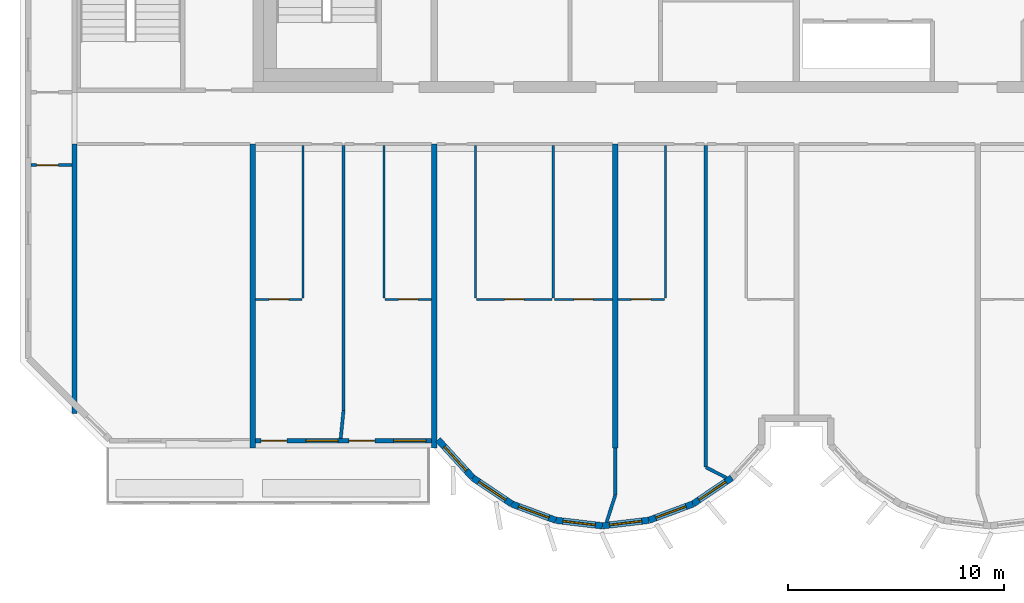
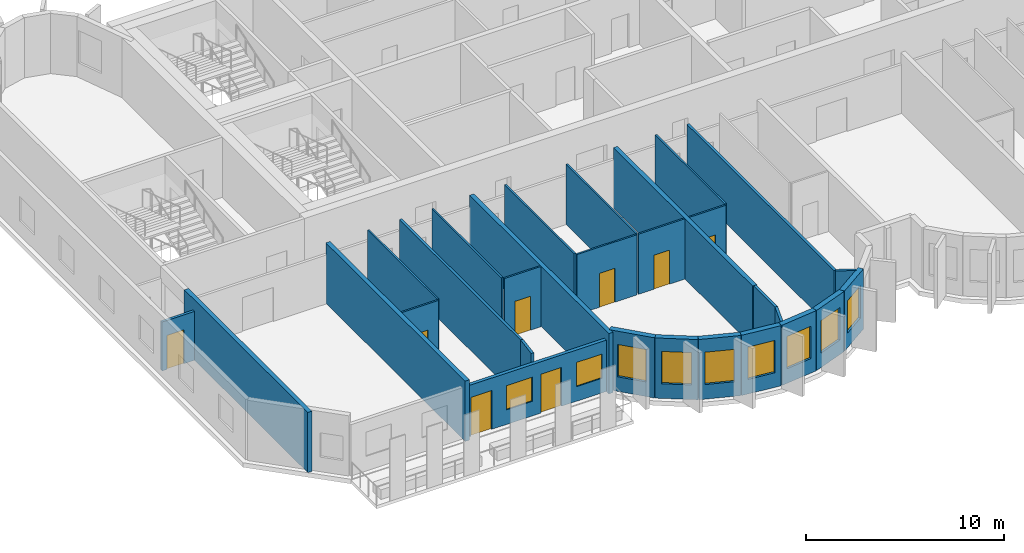
# One storey, part 2 of 12: 29 walls, 9 windows, 8 doors, 17 openings.
"""IFC4 building model written with IfcOpenShell, lengths in metres."""

from ifc_helpers import new_model, si_unit, direction, frame, frame_2d, origin, place, context, subcontext, project, spatial, rectangle, extrude, source, transform, mapped, material, layer, layer_set, type_object, element, fill, save


model = new_model("IFC4")

# Units and contexts
model_context = context("Model", 3, precision=1e-05, world=origin(), true_north=direction((0.0, 1.0)))
body_context = subcontext(model_context, "Body", "Model", "MODEL_VIEW")
ifc_project = project(units=[si_unit("LENGTHUNIT", "METRE"), si_unit("AREAUNIT", "SQUARE_METRE"), si_unit("VOLUMEUNIT", "CUBIC_METRE"), si_unit("PLANEANGLEUNIT", "RADIAN"), si_unit("MASSUNIT", "GRAM", prefix="KILO")], contexts=[model_context])

# Site, building, storey
site_placement = place(None, origin())
site = spatial("IfcSite", under=ifc_project, at=site_placement, CompositionType="ELEMENT")
building_placement = place(site_placement, origin())
building = spatial("IfcBuilding", under=site, at=building_placement, Name="Vanashikhar Sky Hotel", CompositionType="ELEMENT")
storey_placement = place(building_placement, frame((0.0, 0.0, 301.699951171875)))
storey = spatial("IfcBuildingStorey", under=building, at=storey_placement, Name="L72", CompositionType="ELEMENT", Elevation=301.699951171875)

# Walls
ifc_material_1 = material(Name="Concrete M50", Category="concrete")
ifc_layer_1 = layer(ifc_material_1, 0.25)
ifc_layer_set_1 = layer_set([ifc_layer_1], Name="RC shear wall 250 Concrete M50")
wall_type_1 = type_object("IfcWallType", Name="RC shear wall 250 Concrete M50", PredefinedType="SHEAR", material=ifc_layer_set_1)
shared_shape_1 = source(origin(), body_context, "Body", "SweptSolid", [
    extrude(rectangle(XDim=12.5, YDim=0.25, at=frame_2d((6.25, 0.0))), origin(), (0.0, 0.0, 1.0), 3.719970703125),
])
wall_1_placement = place(storey_placement, frame((16.925048828125, 7.10009765625, 0.0), z_axis=(0.0, 0.0, 1.0), x_axis=(0.0, 1.0, 0.0)))
element("IfcWall", 1, at=wall_1_placement, inside=storey, type_object=wall_type_1, Name="CW-L72-XW03-1", PredefinedType="SHEAR", context=body_context, shape_type="MappedRepresentation", body=[
    mapped(shared_shape_1, transform((0.0, 0.0, 0.0), scale=1.0)),
])
shared_shape_2 = source(origin(), body_context, "Body", "SweptSolid", [
    extrude(rectangle(XDim=14.10009765625, YDim=0.25, at=frame_2d((7.050048828125, 0.0))), origin(), (0.0, 0.0, 1.0), 3.719970703125),
])
for number, where, z_axis, x_axis, name in (
    (2, (25.199951171875, 5.5, 0.0), (0.0, 0.0, 1.0), (0.0, 1.0, 0.0), "CW-L72-XW04-1"),
    (3, (33.60009765625, 5.5, 0.0), (0.0, 0.0, 1.0), (0.0, 1.0, 0.0), "CW-L72-XW05-1"),
    (4, (42.0, 5.5, 0.0), (0.0, 0.0, 1.0), (0.0, 1.0, 0.0), "CW-L72-XW06-1"),
):
    element("IfcWall", number, at=place(storey_placement, frame(where, z_axis=z_axis, x_axis=x_axis)), inside=storey, type_object=wall_type_1, Name=name, PredefinedType="SHEAR", context=body_context, shape_type="MappedRepresentation", body=[
        mapped(shared_shape_2, transform((0.0, 0.0, 0.0), scale=1.0)),
    ])

# Wall, openings, windows, doors
ifc_layer_2 = layer(ifc_material_1, 0.199951171875)
ifc_layer_set_2 = layer_set([ifc_layer_2], Name="Front window wall 200")
wall_type_2 = type_object("IfcWallType", Name="Front window wall 200", PredefinedType="SOLIDWALL", material=ifc_layer_set_2)
shared_shape_3 = source(origin(), body_context, "Body", "SweptSolid", [
    extrude(rectangle(XDim=8.150146484375, YDim=0.199951171875, at=frame_2d((4.0751953125, 0.0))), origin(), (0.0, 0.0, 1.0), 3.170166015625),
])
wall_2_placement = place(storey_placement, frame((25.324951171875, 5.85009765625, 0.0), z_axis=(0.0, 0.0, 1.0), x_axis=(1.0, 0.0, 0.0)))
wall_2 = element("IfcWall", 5, at=wall_2_placement, inside=storey, type_object=wall_type_2, Name="Front window wall", PredefinedType="SOLIDWALL", context=body_context, shape_type="MappedRepresentation", body=[
    mapped(shared_shape_3, transform((0.0, 0.0, 0.0), scale=1.0)),
])
shared_shape_4 = source(origin(), body_context, "Body", "SweptSolid", [
    extrude(rectangle(XDim=1.199951171875, YDim=2.39990234375, at=frame_2d((0.60009765625, 1.199951171875))), frame((0.0, 0.10986328125, 0.0), z_axis=(0.0, -1.0, 0.0), x_axis=(1.0, 0.0, 0.0)), (0.0, 0.0, 1.0), 0.219970703125),
])
opening_1_placement = place(wall_2_placement, frame((0.25, 0.0, 0.0)))
opening_1 = element("IfcOpeningElement", 6, at=opening_1_placement, cuts=wall_2, Name="Opening BD-01", PredefinedType="OPENING", context=body_context, shape_type="MappedRepresentation", body=[
    mapped(shared_shape_4, transform((0.0, 0.0, 0.0), scale=1.0)),
])
shared_shape_5 = source(origin(), body_context, "Body", "SweptSolid", [
    extrude(rectangle(XDim=1.5, YDim=1.5, at=frame_2d((0.75, 0.75))), frame((0.0, 0.10986328125, 0.0), z_axis=(0.0, -1.0, 0.0), x_axis=(1.0, 0.0, 0.0)), (0.0, 0.0, 1.0), 0.219970703125),
])
opening_2_placement = place(wall_2_placement, frame((2.324951171875, 0.0, 0.89990234375)))
opening_2 = element("IfcOpeningElement", 7, at=opening_2_placement, cuts=wall_2, Name="Opening WN-1", PredefinedType="OPENING", context=body_context, shape_type="MappedRepresentation", body=[
    mapped(shared_shape_5, transform((0.0, 0.0, 0.0), scale=1.0)),
])
opening_3_placement = place(wall_2_placement, frame((4.324951171875, 0.0, 0.0)))
opening_3 = element("IfcOpeningElement", 8, at=opening_3_placement, cuts=wall_2, Name="Opening BD-02", PredefinedType="OPENING", context=body_context, shape_type="MappedRepresentation", body=[
    mapped(shared_shape_4, transform((0.0, 0.0, 0.0), scale=1.0)),
])
opening_4_placement = place(wall_2_placement, frame((6.39990234375, 0.0, 0.89990234375)))
opening_4 = element("IfcOpeningElement", 9, at=opening_4_placement, cuts=wall_2, Name="Opening WN-1", PredefinedType="OPENING", context=body_context, shape_type="MappedRepresentation", body=[
    mapped(shared_shape_5, transform((0.0, 0.0, 0.0), scale=1.0)),
])
ifc_material_2 = material(Name="Glass", Category="glass")
window_type_1 = type_object("IfcWindowType", Name="Window 1500 x 1500", PartitioningType="SINGLE_PANEL", PredefinedType="WINDOW", material=ifc_material_2)
shared_shape_6 = source(origin(), body_context, "Body", "SweptSolid", [
    extrude(rectangle(XDim=1.5, YDim=1.5, at=frame_2d((0.75, 0.75))), frame((0.0, 0.030029296875, 0.0), z_axis=(0.0, -1.0, 0.0), x_axis=(1.0, 0.0, 0.0)), (0.0, 0.0, 1.0), 0.06005859375),
])
window_1_placement = place(opening_2_placement, origin())
window_1 = element("IfcWindow", 10, at=window_1_placement, inside=storey, type_object=window_type_1, Name="Window WN-1", OverallHeight=1.5, OverallWidth=1.5, PartitioningType="SINGLE_PANEL", PredefinedType="WINDOW", context=body_context, shape_type="MappedRepresentation", body=[
    mapped(shared_shape_6, transform((0.0, 0.0, 0.0), scale=1.0)),
])
fill(opening_2, window_1)
window_2_placement = place(opening_4_placement, origin())
window_2 = element("IfcWindow", 11, at=window_2_placement, inside=storey, type_object=window_type_1, Name="Window WN-1", OverallHeight=1.5, OverallWidth=1.5, PartitioningType="SINGLE_PANEL", PredefinedType="WINDOW", context=body_context, shape_type="MappedRepresentation", body=[
    mapped(shared_shape_6, transform((0.0, 0.0, 0.0), scale=1.0)),
])
fill(opening_4, window_2)
ifc_material_3 = material(Name="Aluminium", Category="aluminium")
door_type_1 = type_object("IfcDoorType", Name="Balcony sliding door 1200 x 2400", OperationType="NOTDEFINED", PredefinedType="DOOR", material=ifc_material_3)
shared_shape_7 = source(origin(), body_context, "Body", "SweptSolid", [
    extrude(rectangle(XDim=1.199951171875, YDim=2.39990234375, at=frame_2d((0.60009765625, 1.199951171875))), frame((0.0, 0.02490234375, 0.0), z_axis=(0.0, -1.0, 0.0), x_axis=(1.0, 0.0, 0.0)), (0.0, 0.0, 1.0), 0.050048828125),
])
door_1_placement = place(opening_1_placement, origin())
door_1 = element("IfcDoor", 12, at=door_1_placement, inside=storey, type_object=door_type_1, Name="Balcony sliding door", OperationType="SLIDING_TO_LEFT", OverallHeight=2.39990234375, OverallWidth=1.199951171875, PredefinedType="DOOR", context=body_context, shape_type="MappedRepresentation", body=[
    mapped(shared_shape_7, transform((0.0, 0.0, 0.0), scale=1.0)),
])
fill(opening_1, door_1)
door_2_placement = place(opening_3_placement, origin())
door_2 = element("IfcDoor", 13, at=door_2_placement, inside=storey, type_object=door_type_1, Name="Balcony sliding door", OperationType="SLIDING_TO_RIGHT", OverallHeight=2.39990234375, OverallWidth=1.199951171875, PredefinedType="DOOR", context=body_context, shape_type="MappedRepresentation", body=[
    mapped(shared_shape_7, transform((0.0, 0.0, 0.0), scale=1.0)),
])
fill(opening_3, door_2)

# Wall, opening, window
ifc_layer_3 = layer(ifc_material_1, 0.300048828125)
ifc_layer_set_3 = layer_set([ifc_layer_3], Name="Lobe wall 300")
wall_type_3 = type_object("IfcWallType", Name="Lobe wall 300", PredefinedType="SOLIDWALL", material=ifc_layer_set_3)
shared_shape_8 = source(origin(), body_context, "Body", "SweptSolid", [
    extrude(rectangle(XDim=2.398193359375, YDim=0.300048828125, at=frame_2d((1.19921875, 0.0))), origin(), (0.0, 0.0, 1.0), 3.719970703125),
])
wall_3_placement = place(storey_placement, frame((33.776123046875, 5.89990234375, 0.0), z_axis=(0.0, 0.0, 1.0), x_axis=(0.675374189419, -0.737475222815, 0.0)))
wall_3 = element("IfcWall", 14, at=wall_3_placement, inside=storey, type_object=wall_type_3, Name="Lobe wall", PredefinedType="SOLIDWALL", context=body_context, shape_type="MappedRepresentation", body=[
    mapped(shared_shape_8, transform((0.0, 0.0, 0.0), scale=1.0)),
])
shared_shape_9 = source(origin(), body_context, "Body", "SweptSolid", [
    extrude(rectangle(XDim=1.5, YDim=2.0, at=frame_2d((0.75, 1.0))), frame((0.0, 0.16015625, 0.0), z_axis=(0.0, -1.0, 0.0), x_axis=(1.0, 0.0, 0.0)), (0.0, 0.0, 1.0), 0.320068359375),
])
opening_5_placement = place(wall_3_placement, frame((0.44921875, 0.0, 0.89990234375)))
opening_5 = element("IfcOpeningElement", 15, at=opening_5_placement, cuts=wall_3, Name="Opening WN-2", PredefinedType="OPENING", context=body_context, shape_type="MappedRepresentation", body=[
    mapped(shared_shape_9, transform((0.0, 0.0, 0.0), scale=1.0)),
])
window_type_2 = type_object("IfcWindowType", Name="Lobe window 1500 x 2000", PartitioningType="SINGLE_PANEL", PredefinedType="WINDOW", material=ifc_material_2)
shared_shape_10 = source(origin(), body_context, "Body", "SweptSolid", [
    extrude(rectangle(XDim=1.5, YDim=2.0, at=frame_2d((0.75, 1.0))), frame((0.0, 0.030029296875, 0.0), z_axis=(0.0, -1.0, 0.0), x_axis=(1.0, 0.0, 0.0)), (0.0, 0.0, 1.0), 0.06005859375),
])
window_3_placement = place(opening_5_placement, origin())
window_3 = element("IfcWindow", 16, at=window_3_placement, inside=storey, type_object=window_type_2, Name="Window WN-2", OverallHeight=2.0, OverallWidth=1.5, PartitioningType="SINGLE_PANEL", PredefinedType="WINDOW", context=body_context, shape_type="MappedRepresentation", body=[
    mapped(shared_shape_10, transform((0.0, 0.0, 0.0), scale=1.0)),
])
fill(opening_5, window_3)

shared_shape_11 = source(origin(), body_context, "Body", "SweptSolid", [
    extrude(rectangle(XDim=2.17578125, YDim=0.300048828125, at=frame_2d((1.087890625, 0.0))), origin(), (0.0, 0.0, 1.0), 3.719970703125),
])
wall_4_placement = place(storey_placement, frame((35.395751953125, 4.13134765625, 0.0), z_axis=(0.0, 0.0, 1.0), x_axis=(0.829590746428, -0.558371913192, 0.0)))
wall_4 = element("IfcWall", 17, at=wall_4_placement, inside=storey, type_object=wall_type_3, Name="Lobe wall", PredefinedType="SOLIDWALL", context=body_context, shape_type="MappedRepresentation", body=[
    mapped(shared_shape_11, transform((0.0, 0.0, 0.0), scale=1.0)),
])
opening_6_placement = place(wall_4_placement, frame((0.337890625, 0.0, 0.89990234375)))
opening_6 = element("IfcOpeningElement", 18, at=opening_6_placement, cuts=wall_4, Name="Opening WN-2", PredefinedType="OPENING", context=body_context, shape_type="MappedRepresentation", body=[
    mapped(shared_shape_9, transform((0.0, 0.0, 0.0), scale=1.0)),
])
window_4_placement = place(opening_6_placement, origin())
window_4 = element("IfcWindow", 19, at=window_4_placement, inside=storey, type_object=window_type_2, Name="Window WN-2", OverallHeight=2.0, OverallWidth=1.5, PartitioningType="SINGLE_PANEL", PredefinedType="WINDOW", context=body_context, shape_type="MappedRepresentation", body=[
    mapped(shared_shape_10, transform((0.0, 0.0, 0.0), scale=1.0)),
])
fill(opening_6, window_4)

wall_5_placement = place(storey_placement, frame((37.20068359375, 2.91650390625, 0.0), z_axis=(0.0, 0.0, 1.0), x_axis=(0.93754555999, -0.347862505801, 0.0)))
wall_5 = element("IfcWall", 20, at=wall_5_placement, inside=storey, type_object=wall_type_3, Name="Lobe wall", PredefinedType="SOLIDWALL", context=body_context, shape_type="MappedRepresentation", body=[
    mapped(shared_shape_11, transform((0.0, 0.0, 0.0), scale=1.0)),
])
opening_7_placement = place(wall_5_placement, frame((0.337890625, 0.0, 0.89990234375)))
opening_7 = element("IfcOpeningElement", 21, at=opening_7_placement, cuts=wall_5, Name="Opening WN-2", PredefinedType="OPENING", context=body_context, shape_type="MappedRepresentation", body=[
    mapped(shared_shape_9, transform((0.0, 0.0, 0.0), scale=1.0)),
])
window_5_placement = place(opening_7_placement, origin())
window_5 = element("IfcWindow", 22, at=window_5_placement, inside=storey, type_object=window_type_2, Name="Window WN-2", OverallHeight=2.0, OverallWidth=1.5, PartitioningType="SINGLE_PANEL", PredefinedType="WINDOW", context=body_context, shape_type="MappedRepresentation", body=[
    mapped(shared_shape_10, transform((0.0, 0.0, 0.0), scale=1.0)),
])
fill(opening_7, window_5)

wall_6_placement = place(storey_placement, frame((45.59912109375, 2.91650390625, 0.0), z_axis=(0.0, 0.0, 1.0), x_axis=(0.829625727223, 0.558319937607, 0.0)))
wall_6 = element("IfcWall", 23, at=wall_6_placement, inside=storey, type_object=wall_type_3, Name="Lobe wall", PredefinedType="SOLIDWALL", context=body_context, shape_type="MappedRepresentation", body=[
    mapped(shared_shape_11, transform((0.0, 0.0, 0.0), scale=1.0)),
])
opening_8_placement = place(wall_6_placement, frame((0.337890625, 0.0, 0.89990234375)))
opening_8 = element("IfcOpeningElement", 24, at=opening_8_placement, cuts=wall_6, Name="Opening WN-2", PredefinedType="OPENING", context=body_context, shape_type="MappedRepresentation", body=[
    mapped(shared_shape_9, transform((0.0, 0.0, 0.0), scale=1.0)),
])
window_6_placement = place(opening_8_placement, origin())
window_6 = element("IfcWindow", 25, at=window_6_placement, inside=storey, type_object=window_type_2, Name="Window WN-2", OverallHeight=2.0, OverallWidth=1.5, PartitioningType="SINGLE_PANEL", PredefinedType="WINDOW", context=body_context, shape_type="MappedRepresentation", body=[
    mapped(shared_shape_10, transform((0.0, 0.0, 0.0), scale=1.0)),
])
fill(opening_8, window_6)

shared_shape_12 = source(origin(), body_context, "Body", "SweptSolid", [
    extrude(rectangle(XDim=2.174560546875, YDim=0.300048828125, at=frame_2d((1.08740234375, 0.0))), origin(), (0.0, 0.0, 1.0), 3.719970703125),
])
wall_7_placement = place(storey_placement, frame((39.240478515625, 2.15966796875, 0.0), z_axis=(0.0, 0.0, 1.0), x_axis=(0.993001132889, -0.118104826659, 0.0)))
wall_7 = element("IfcWall", 26, at=wall_7_placement, inside=storey, type_object=wall_type_3, Name="Lobe wall", PredefinedType="SOLIDWALL", context=body_context, shape_type="MappedRepresentation", body=[
    mapped(shared_shape_12, transform((0.0, 0.0, 0.0), scale=1.0)),
])
opening_9_placement = place(wall_7_placement, frame((0.33740234375, 0.0, 0.89990234375)))
opening_9 = element("IfcOpeningElement", 27, at=opening_9_placement, cuts=wall_7, Name="Opening WN-2", PredefinedType="OPENING", context=body_context, shape_type="MappedRepresentation", body=[
    mapped(shared_shape_9, transform((0.0, 0.0, 0.0), scale=1.0)),
])
window_7_placement = place(opening_9_placement, origin())
window_7 = element("IfcWindow", 28, at=window_7_placement, inside=storey, type_object=window_type_2, Name="Window WN-2", OverallHeight=2.0, OverallWidth=1.5, PartitioningType="SINGLE_PANEL", PredefinedType="WINDOW", context=body_context, shape_type="MappedRepresentation", body=[
    mapped(shared_shape_10, transform((0.0, 0.0, 0.0), scale=1.0)),
])
fill(opening_9, window_7)

shared_shape_13 = source(origin(), body_context, "Body", "SweptSolid", [
    extrude(rectangle(XDim=2.1748046875, YDim=0.300048828125, at=frame_2d((1.08740234375, 0.0))), origin(), (0.0, 0.0, 1.0), 3.719970703125),
])
wall_8_placement = place(storey_placement, frame((41.39990234375, 1.90283203125, 0.0), z_axis=(0.0, 0.0, 1.0), x_axis=(0.993002698611, 0.118091661648, 0.0)))
wall_8 = element("IfcWall", 29, at=wall_8_placement, inside=storey, type_object=wall_type_3, Name="Lobe wall", PredefinedType="SOLIDWALL", context=body_context, shape_type="MappedRepresentation", body=[
    mapped(shared_shape_13, transform((0.0, 0.0, 0.0), scale=1.0)),
])
opening_10_placement = place(wall_8_placement, frame((0.33740234375, 0.0, 0.89990234375)))
opening_10 = element("IfcOpeningElement", 30, at=opening_10_placement, cuts=wall_8, Name="Opening WN-2", PredefinedType="OPENING", context=body_context, shape_type="MappedRepresentation", body=[
    mapped(shared_shape_9, transform((0.0, 0.0, 0.0), scale=1.0)),
])
window_8_placement = place(opening_10_placement, origin())
window_8 = element("IfcWindow", 31, at=window_8_placement, inside=storey, type_object=window_type_2, Name="Window WN-2", OverallHeight=2.0, OverallWidth=1.5, PartitioningType="SINGLE_PANEL", PredefinedType="WINDOW", context=body_context, shape_type="MappedRepresentation", body=[
    mapped(shared_shape_10, transform((0.0, 0.0, 0.0), scale=1.0)),
])
fill(opening_10, window_8)

shared_shape_14 = source(origin(), body_context, "Body", "SweptSolid", [
    extrude(rectangle(XDim=2.175537109375, YDim=0.300048828125, at=frame_2d((1.087890625, 0.0))), origin(), (0.0, 0.0, 1.0), 3.719970703125),
])
wall_9_placement = place(storey_placement, frame((43.5595703125, 2.15966796875, 0.0), z_axis=(0.0, 0.0, 1.0), x_axis=(0.937531979054, 0.347899106424, 0.0)))
wall_9 = element("IfcWall", 32, at=wall_9_placement, inside=storey, type_object=wall_type_3, Name="Lobe wall", PredefinedType="SOLIDWALL", context=body_context, shape_type="MappedRepresentation", body=[
    mapped(shared_shape_14, transform((0.0, 0.0, 0.0), scale=1.0)),
])
opening_11_placement = place(wall_9_placement, frame((0.337890625, 0.0, 0.89990234375)))
opening_11 = element("IfcOpeningElement", 33, at=opening_11_placement, cuts=wall_9, Name="Opening WN-2", PredefinedType="OPENING", context=body_context, shape_type="MappedRepresentation", body=[
    mapped(shared_shape_9, transform((0.0, 0.0, 0.0), scale=1.0)),
])
window_9_placement = place(opening_11_placement, origin())
window_9 = element("IfcWindow", 34, at=window_9_placement, inside=storey, type_object=window_type_2, Name="Window WN-2", OverallHeight=2.0, OverallWidth=1.5, PartitioningType="SINGLE_PANEL", PredefinedType="WINDOW", context=body_context, shape_type="MappedRepresentation", body=[
    mapped(shared_shape_10, transform((0.0, 0.0, 0.0), scale=1.0)),
])
fill(opening_11, window_9)

# Wall, opening, door
ifc_material_4 = material(Name="Gypsum plasterboard partition")
ifc_layer_4 = layer(ifc_material_4, 0.10009765625)
ifc_layer_set_4 = layer_set([ifc_layer_4], Name="Wet room partition 100")
wall_type_4 = type_object("IfcWallType", Name="Wet room partition 100", PredefinedType="PARTITIONING", material=ifc_layer_set_4)
shared_shape_15 = source(origin(), body_context, "Body", "SweptSolid", [
    extrude(rectangle(XDim=3.5, YDim=0.10009765625, at=frame_2d((1.75, 0.0))), origin(), (0.0, 0.0, 1.0), 3.719970703125),
])
wall_10_placement = place(storey_placement, frame((35.574951171875, 12.39990234375, 0.0), z_axis=(0.0, 0.0, 1.0), x_axis=(1.0, 0.0, 0.0)))
wall_10 = element("IfcWall", 35, at=wall_10_placement, inside=storey, type_object=wall_type_4, Name="W-L72-PW011", PredefinedType="PARTITIONING", context=body_context, shape_type="MappedRepresentation", body=[
    mapped(shared_shape_15, transform((0.0, 0.0, 0.0), scale=1.0)),
])
shared_shape_16 = source(origin(), body_context, "Body", "SweptSolid", [
    extrude(rectangle(XDim=0.89990234375, YDim=2.10009765625, at=frame_2d((0.449951171875, 1.050048828125))), frame((0.0, 0.06005859375, 0.0), z_axis=(0.0, -1.0, 0.0), x_axis=(1.0, 0.0, 0.0)), (0.0, 0.0, 1.0), 0.1201171875),
])
opening_12_placement = place(wall_10_placement, frame((1.300048828125, 0.0, 0.0)))
opening_12 = element("IfcOpeningElement", 36, at=opening_12_placement, cuts=wall_10, Name="Opening D-02", PredefinedType="OPENING", context=body_context, shape_type="MappedRepresentation", body=[
    mapped(shared_shape_16, transform((0.0, 0.0, 0.0), scale=1.0)),
])
ifc_material_5 = material(Name="Timber door", Category="wood")
door_type_2 = type_object("IfcDoorType", Name="Internal door 900", OperationType="NOTDEFINED", PredefinedType="DOOR", material=ifc_material_5)
shared_shape_17 = source(origin(), body_context, "Body", "SweptSolid", [
    extrude(rectangle(XDim=0.89990234375, YDim=2.10009765625, at=frame_2d((0.449951171875, 1.050048828125))), frame((0.0, 0.02490234375, 0.0), z_axis=(0.0, -1.0, 0.0), x_axis=(1.0, 0.0, 0.0)), (0.0, 0.0, 1.0), 0.050048828125),
])
door_3_placement = place(opening_12_placement, origin())
door_3 = element("IfcDoor", 37, at=door_3_placement, inside=storey, type_object=door_type_2, Name="D-L72-006", OperationType="SINGLE_SWING_LEFT", OverallHeight=2.10009765625, OverallWidth=0.89990234375, PredefinedType="DOOR", context=body_context, shape_type="MappedRepresentation", body=[
    mapped(shared_shape_17, transform((0.0, 0.0, 0.0), scale=1.0)),
])
fill(opening_12, door_3)

shared_shape_18 = source(origin(), body_context, "Body", "SweptSolid", [
    extrude(rectangle(XDim=2.699951171875, YDim=0.10009765625, at=frame_2d((1.35009765625, 0.0))), origin(), (0.0, 0.0, 1.0), 3.719970703125),
])
wall_11_placement = place(storey_placement, frame((39.175048828125, 12.39990234375, 0.0), z_axis=(0.0, 0.0, 1.0), x_axis=(1.0, 0.0, 0.0)))
wall_11 = element("IfcWall", 38, at=wall_11_placement, inside=storey, type_object=wall_type_4, Name="W-L72-PW012", PredefinedType="PARTITIONING", context=body_context, shape_type="MappedRepresentation", body=[
    mapped(shared_shape_18, transform((0.0, 0.0, 0.0), scale=1.0)),
])
opening_13_placement = place(wall_11_placement, frame((0.89990234375, 0.0, 0.0)))
opening_13 = element("IfcOpeningElement", 39, at=opening_13_placement, cuts=wall_11, Name="Opening D-02", PredefinedType="OPENING", context=body_context, shape_type="MappedRepresentation", body=[
    mapped(shared_shape_16, transform((0.0, 0.0, 0.0), scale=1.0)),
])
door_4_placement = place(opening_13_placement, origin())
door_4 = element("IfcDoor", 40, at=door_4_placement, inside=storey, type_object=door_type_2, Name="D-L72-007", OperationType="SINGLE_SWING_LEFT", OverallHeight=2.10009765625, OverallWidth=0.89990234375, PredefinedType="DOOR", context=body_context, shape_type="MappedRepresentation", body=[
    mapped(shared_shape_17, transform((0.0, 0.0, 0.0), scale=1.0)),
])
fill(opening_13, door_4)

# Wall
ifc_layer_5 = layer(ifc_material_4, 0.14990234375)
ifc_layer_set_5 = layer_set([ifc_layer_5], Name="Corridor and demising partition 150")
wall_type_5 = type_object("IfcWallType", Name="Corridor and demising partition 150", PredefinedType="PARTITIONING", material=ifc_layer_set_5)
shared_shape_19 = source(origin(), body_context, "Body", "SweptSolid", [
    extrude(rectangle(XDim=2.177978515625, YDim=0.14990234375, at=frame_2d((1.0888671875, 0.0))), origin(), (0.0, 0.0, 1.0), 3.719970703125),
])
wall_12_placement = place(storey_placement, frame((42.0, 3.322021484375, 0.0), z_axis=(0.0, 0.0, 1.0), x_axis=(0.0, 1.0, 0.0)))
element("IfcWall", 41, at=wall_12_placement, inside=storey, type_object=wall_type_5, Name="W-L72-PW041", PredefinedType="PARTITIONING", context=body_context, shape_type="MappedRepresentation", body=[
    mapped(shared_shape_19, transform((0.0, 0.0, 0.0), scale=1.0)),
])

# Wall, opening, door
shared_shape_20 = source(origin(), body_context, "Body", "SweptSolid", [
    extrude(rectangle(XDim=1.900146484375, YDim=0.14990234375, at=frame_2d((0.9501953125, 0.0))), origin(), (0.0, 0.0, 1.0), 3.02001953125),
])
wall_13_placement = place(storey_placement, frame((14.89990234375, 18.6279296875, 0.0), z_axis=(0.0, 0.0, 1.0), x_axis=(1.0, 0.0, 0.0)))
wall_13 = element("IfcWall", 42, at=wall_13_placement, inside=storey, type_object=wall_type_5, Name="W-L72-PW045", PredefinedType="PARTITIONING", context=body_context, shape_type="MappedRepresentation", body=[
    mapped(shared_shape_20, transform((0.0, 0.0, 0.0), scale=1.0)),
])
shared_shape_21 = source(origin(), body_context, "Body", "SweptSolid", [
    extrude(rectangle(XDim=1.0, YDim=2.10009765625, at=frame_2d((0.5, 1.050048828125))), frame((0.0, 0.0849609375, 0.0), z_axis=(0.0, -1.0, 0.0), x_axis=(1.0, 0.0, 0.0)), (0.0, 0.0, 1.0), 0.169921875),
])
opening_14_placement = place(wall_13_placement, frame((0.27490234375, 0.0, 0.0)))
opening_14 = element("IfcOpeningElement", 43, at=opening_14_placement, cuts=wall_13, Name="Opening D-01", PredefinedType="OPENING", context=body_context, shape_type="MappedRepresentation", body=[
    mapped(shared_shape_21, transform((0.0, 0.0, 0.0), scale=1.0)),
])
ifc_material_6 = material(Name="Timber fire door", Category="wood")
door_type_3 = type_object("IfcDoorType", Name="Guest entry door 1000 FD30S", OperationType="NOTDEFINED", PredefinedType="DOOR", material=ifc_material_6)
shared_shape_22 = source(origin(), body_context, "Body", "SweptSolid", [
    extrude(rectangle(XDim=1.0, YDim=2.10009765625, at=frame_2d((0.5, 1.050048828125))), frame((0.0, 0.02490234375, 0.0), z_axis=(0.0, -1.0, 0.0), x_axis=(1.0, 0.0, 0.0)), (0.0, 0.0, 1.0), 0.050048828125),
])
door_5_placement = place(opening_14_placement, origin())
door_5 = element("IfcDoor", 44, at=door_5_placement, inside=storey, type_object=door_type_3, Name="D-L72-027", OperationType="SINGLE_SWING_LEFT", OverallHeight=2.10009765625, OverallWidth=1.0, PredefinedType="DOOR", context=body_context, shape_type="MappedRepresentation", body=[
    mapped(shared_shape_22, transform((0.0, 0.0, 0.0), scale=1.0)),
])
fill(opening_14, door_5)

# Walls
shared_shape_23 = source(origin(), body_context, "Body", "SweptSolid", [
    extrude(rectangle(XDim=1.308349609375, YDim=0.14990234375, at=frame_2d((0.654296875, 0.0))), origin(), (0.0, 0.0, 1.0), 3.719970703125),
])
wall_14_placement = place(storey_placement, frame((41.597900390625, 2.076904296875, 0.0), z_axis=(0.0, 0.0, 1.0), x_axis=(0.307313512187, 0.951608325535, 0.0)))
element("IfcWall", 45, at=wall_14_placement, inside=storey, type_object=wall_type_5, Name="W-L72-PW041B0", PredefinedType="PARTITIONING", context=body_context, shape_type="MappedRepresentation", body=[
    mapped(shared_shape_23, transform((0.0, 0.0, 0.0), scale=1.0)),
])
shared_shape_24 = source(origin(), body_context, "Body", "SweptSolid", [
    extrude(rectangle(XDim=12.27490234375, YDim=0.14990234375, at=frame_2d((6.137451171875, 0.0))), origin(), (0.0, 0.0, 1.0), 3.719970703125),
])
wall_15_placement = place(storey_placement, frame((29.39990234375, 7.25, 0.0), z_axis=(0.0, 0.0, 1.0), x_axis=(0.0, 1.0, 0.0)))
element("IfcWall", 46, at=wall_15_placement, inside=storey, type_object=wall_type_5, Name="W-L72-PW008", PredefinedType="PARTITIONING", context=body_context, shape_type="MappedRepresentation", body=[
    mapped(shared_shape_24, transform((0.0, 0.0, 0.0), scale=1.0)),
])
shared_shape_25 = source(origin(), body_context, "Body", "SweptSolid", [
    extrude(rectangle(XDim=1.306640625, YDim=0.14990234375, at=frame_2d((0.6533203125, 0.0))), origin(), (0.0, 0.0, 1.0), 3.719970703125),
])
wall_16_placement = place(storey_placement, frame((29.27001953125, 5.949951171875, 0.0), z_axis=(0.0, 0.0, 1.0), x_axis=(0.099411212066, 0.995046436562, 0.0)))
element("IfcWall", 47, at=wall_16_placement, inside=storey, type_object=wall_type_5, Name="W-L72-PW008B0", PredefinedType="PARTITIONING", context=body_context, shape_type="MappedRepresentation", body=[
    mapped(shared_shape_25, transform((0.0, 0.0, 0.0), scale=1.0)),
])
shared_shape_26 = source(origin(), body_context, "Body", "SweptSolid", [
    extrude(rectangle(XDim=7.0498046875, YDim=0.10009765625, at=frame_2d((3.52490234375, 0.0))), origin(), (0.0, 0.0, 1.0), 3.719970703125),
])
for number, where, z_axis, x_axis, name in (
    (48, (27.52490234375, 12.47509765625, 0.0), (0.0, 0.0, 1.0), (0.0, 1.0, 0.0), "W-L72-PW002"),
    (49, (31.27490234375, 12.47509765625, 0.0), (0.0, 0.0, 1.0), (0.0, 1.0, 0.0), "W-L72-PW005"),
    (50, (35.52490234375, 12.47509765625, 0.0), (0.0, 0.0, 1.0), (0.0, 1.0, 0.0), "W-L72-PW009"),
    (51, (39.125, 12.47509765625, 0.0), (0.0, 0.0, 1.0), (0.0, 1.0, 0.0), "W-L72-PW010"),
    (52, (44.324951171875, 12.47509765625, 0.0), (0.0, 0.0, 1.0), (0.0, 1.0, 0.0), "W-L72-PW014"),
):
    element("IfcWall", number, at=place(storey_placement, frame(where, z_axis=z_axis, x_axis=x_axis)), inside=storey, type_object=wall_type_4, Name=name, PredefinedType="PARTITIONING", context=body_context, shape_type="MappedRepresentation", body=[
        mapped(shared_shape_26, transform((0.0, 0.0, 0.0), scale=1.0)),
    ])

# Wall, opening, door
shared_shape_27 = source(origin(), body_context, "Body", "SweptSolid", [
    extrude(rectangle(XDim=2.150146484375, YDim=0.10009765625, at=frame_2d((1.0751953125, 0.0))), origin(), (0.0, 0.0, 1.0), 3.719970703125),
])
wall_17_placement = place(storey_placement, frame((25.324951171875, 12.39990234375, 0.0), z_axis=(0.0, 0.0, 1.0), x_axis=(1.0, 0.0, 0.0)))
wall_17 = element("IfcWall", 53, at=wall_17_placement, inside=storey, type_object=wall_type_4, Name="W-L72-PW003", PredefinedType="PARTITIONING", context=body_context, shape_type="MappedRepresentation", body=[
    mapped(shared_shape_27, transform((0.0, 0.0, 0.0), scale=1.0)),
])
opening_15_placement = place(wall_17_placement, frame((0.625, 0.0, 0.0)))
opening_15 = element("IfcOpeningElement", 54, at=opening_15_placement, cuts=wall_17, Name="Opening D-02", PredefinedType="OPENING", context=body_context, shape_type="MappedRepresentation", body=[
    mapped(shared_shape_16, transform((0.0, 0.0, 0.0), scale=1.0)),
])
door_6_placement = place(opening_15_placement, origin())
door_6 = element("IfcDoor", 55, at=door_6_placement, inside=storey, type_object=door_type_2, Name="D-L72-002", OperationType="SINGLE_SWING_RIGHT", OverallHeight=2.10009765625, OverallWidth=0.89990234375, PredefinedType="DOOR", context=body_context, shape_type="MappedRepresentation", body=[
    mapped(shared_shape_17, transform((0.0, 0.0, 0.0), scale=1.0)),
])
fill(opening_15, door_6)

wall_18_placement = place(storey_placement, frame((31.324951171875, 12.39990234375, 0.0), z_axis=(0.0, 0.0, 1.0), x_axis=(1.0, 0.0, 0.0)))
wall_18 = element("IfcWall", 56, at=wall_18_placement, inside=storey, type_object=wall_type_4, Name="W-L72-PW006", PredefinedType="PARTITIONING", context=body_context, shape_type="MappedRepresentation", body=[
    mapped(shared_shape_27, transform((0.0, 0.0, 0.0), scale=1.0)),
])
opening_16_placement = place(wall_18_placement, frame((0.625, 0.0, 0.0)))
opening_16 = element("IfcOpeningElement", 57, at=opening_16_placement, cuts=wall_18, Name="Opening D-02", PredefinedType="OPENING", context=body_context, shape_type="MappedRepresentation", body=[
    mapped(shared_shape_16, transform((0.0, 0.0, 0.0), scale=1.0)),
])
door_7_placement = place(opening_16_placement, origin())
door_7 = element("IfcDoor", 58, at=door_7_placement, inside=storey, type_object=door_type_2, Name="D-L72-004", OperationType="SINGLE_SWING_LEFT", OverallHeight=2.10009765625, OverallWidth=0.89990234375, PredefinedType="DOOR", context=body_context, shape_type="MappedRepresentation", body=[
    mapped(shared_shape_17, transform((0.0, 0.0, 0.0), scale=1.0)),
])
fill(opening_16, door_7)

shared_shape_28 = source(origin(), body_context, "Body", "SweptSolid", [
    extrude(rectangle(XDim=2.14990234375, YDim=0.10009765625, at=frame_2d((1.074951171875, 0.0))), origin(), (0.0, 0.0, 1.0), 3.719970703125),
])
wall_19_placement = place(storey_placement, frame((42.125, 12.39990234375, 0.0), z_axis=(0.0, 0.0, 1.0), x_axis=(1.0, 0.0, 0.0)))
wall_19 = element("IfcWall", 59, at=wall_19_placement, inside=storey, type_object=wall_type_4, Name="W-L72-PW015", PredefinedType="PARTITIONING", context=body_context, shape_type="MappedRepresentation", body=[
    mapped(shared_shape_28, transform((0.0, 0.0, 0.0), scale=1.0)),
])
opening_17_placement = place(wall_19_placement, frame((0.625, 0.0, 0.0)))
opening_17 = element("IfcOpeningElement", 60, at=opening_17_placement, cuts=wall_19, Name="Opening D-02", PredefinedType="OPENING", context=body_context, shape_type="MappedRepresentation", body=[
    mapped(shared_shape_16, transform((0.0, 0.0, 0.0), scale=1.0)),
])
door_8_placement = place(opening_17_placement, origin())
door_8 = element("IfcDoor", 61, at=door_8_placement, inside=storey, type_object=door_type_2, Name="D-L72-009", OperationType="SINGLE_SWING_RIGHT", OverallHeight=2.10009765625, OverallWidth=0.89990234375, PredefinedType="DOOR", context=body_context, shape_type="MappedRepresentation", body=[
    mapped(shared_shape_17, transform((0.0, 0.0, 0.0), scale=1.0)),
])
fill(opening_17, door_8)

# Walls
shared_shape_29 = source(origin(), body_context, "Body", "SweptSolid", [
    extrude(rectangle(XDim=14.906005859375, YDim=0.14990234375, at=frame_2d((7.453125, 0.0))), origin(), (0.0, 0.0, 1.0), 3.719970703125),
])
wall_20_placement = place(storey_placement, frame((46.199951171875, 4.618896484375, 0.0), z_axis=(0.0, 0.0, 1.0), x_axis=(0.0, 1.0, 0.0)))
element("IfcWall", 62, at=wall_20_placement, inside=storey, type_object=wall_type_5, Name="W-L72-PW020", PredefinedType="PARTITIONING", context=body_context, shape_type="MappedRepresentation", body=[
    mapped(shared_shape_29, transform((0.0, 0.0, 0.0), scale=1.0)),
])
shared_shape_30 = source(origin(), body_context, "Body", "SweptSolid", [
    extrude(rectangle(XDim=1.0576171875, YDim=0.14990234375, at=frame_2d((0.52880859375, 0.0))), origin(), (0.0, 0.0, 1.0), 3.719970703125),
])
wall_21_placement = place(storey_placement, frame((47.139892578125, 4.134033203125, 0.0), z_axis=(0.0, 0.0, 1.0), x_axis=(-0.888723819054, 0.458442988218, 0.0)))
element("IfcWall", 63, at=wall_21_placement, inside=storey, type_object=wall_type_5, Name="W-L72-PW020B0", PredefinedType="PARTITIONING", context=body_context, shape_type="MappedRepresentation", body=[
    mapped(shared_shape_30, transform((0.0, 0.0, 0.0), scale=1.0)),
])

save(model, "model.ifc")
